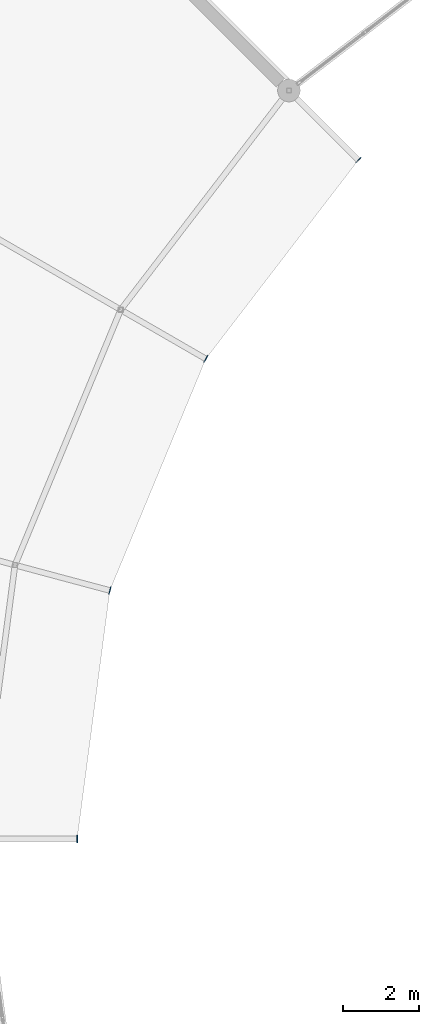
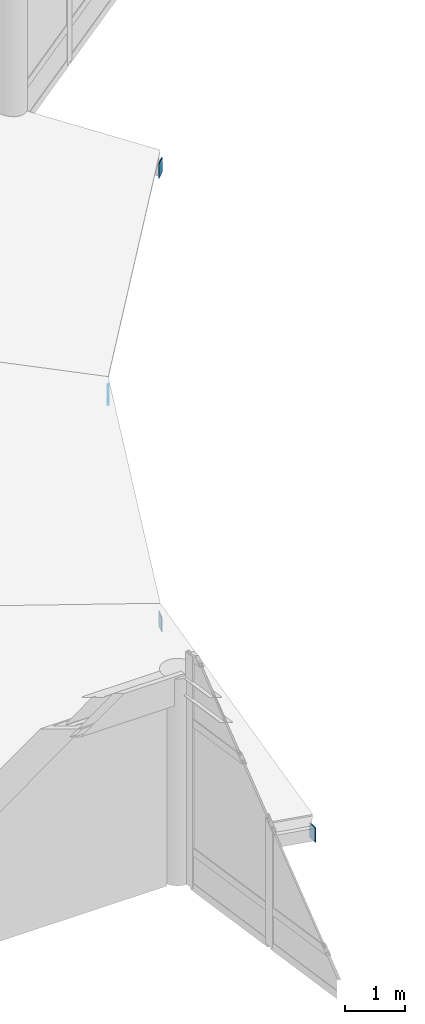
# One storey, part 75 of 93: 4 plates.
"""IFC4 building model written with IfcOpenShell, lengths in metres."""

from ifc_helpers import new_model, si_unit, direction, frame, origin, origin_2d, place, context, subcontext, project, spatial, rectangle, extrude, material, layer, layer_set, type_object, element, save


model = new_model("IFC4")

# Units and contexts
model_context = context("Model", 3, precision=1e-05, world=origin(), true_north=direction((0.0, 1.0)))
body_context = subcontext(model_context, "Body", "Model", "MODEL_VIEW")
ifc_project = project(units=[si_unit("LENGTHUNIT", "METRE"), si_unit("AREAUNIT", "SQUARE_METRE"), si_unit("VOLUMEUNIT", "CUBIC_METRE"), si_unit("PLANEANGLEUNIT", "RADIAN"), si_unit("MASSUNIT", "GRAM", prefix="KILO")], contexts=[model_context])

# Site, building, storey
site_placement = place(None, origin())
site = spatial("IfcSite", under=ifc_project, at=site_placement, CompositionType="ELEMENT")
building_placement = place(site_placement, origin())
building = spatial("IfcBuilding", under=site, at=building_placement, Name="Vondelvale Polytechnic", CompositionType="ELEMENT")
storey_placement = place(building_placement, frame((0.0, 0.0, 18.0)))
storey = spatial("IfcBuildingStorey", under=building, at=storey_placement, Name="L04", CompositionType="ELEMENT", Elevation=18.0)

# Plates
ifc_material = material(Name="Steel Grade 350 (fy = 340 MPa)", Category="steel")
ifc_layer = layer(ifc_material, 0.01611328125)
ifc_layer_set = layer_set([ifc_layer], Name="PLATE-CAP-300x200")
plate_type = type_object("IfcPlateType", Name="PLATE-CAP-300x200", PredefinedType="USERDEFINED", material=ifc_layer_set)
for number, where, z_axis, x_axis, name in (
    (1, (84.03955078125, 89.96044921875, -0.18408203125), (0.0, 0.0, 1.0), (0.707106781187, -0.707106781187, 0.0), "Ring rafter hollow end cap plate 09I"),
    (2, (80.0029296875, 84.699951171875, -0.18408203125), (0.0, 0.0, 1.0), (0.866025403784, -0.5, 0.0), "Ring rafter hollow end cap plate 10I"),
    (3, (77.465576171875, 78.573974609375, -0.18408203125), (0.0, 0.0, 1.0), (0.965925826289, -0.258819045103, 0.0), "Ring rafter hollow end cap plate 11I"),
    (4, (76.60009765625, 72.0, -0.18408203125), (0.0, 0.0, 1.0), (1.0, 0.0, 0.0), "Ring step rafter end cap plate 11I"),
):
    element("IfcPlate", number, at=place(storey_placement, frame(where, z_axis=z_axis, x_axis=x_axis)), inside=storey, type_object=plate_type, Name=name, ObjectType="CAP_PLATE", PredefinedType="USERDEFINED", context=body_context, shape_type="SweptSolid", body=[
        extrude(rectangle(XDim=0.01611328125, YDim=0.199951171875, at=origin_2d()), origin(), (0.0, 0.0, 1.0), 0.300048828125),
    ])

save(model, "model.ifc")
